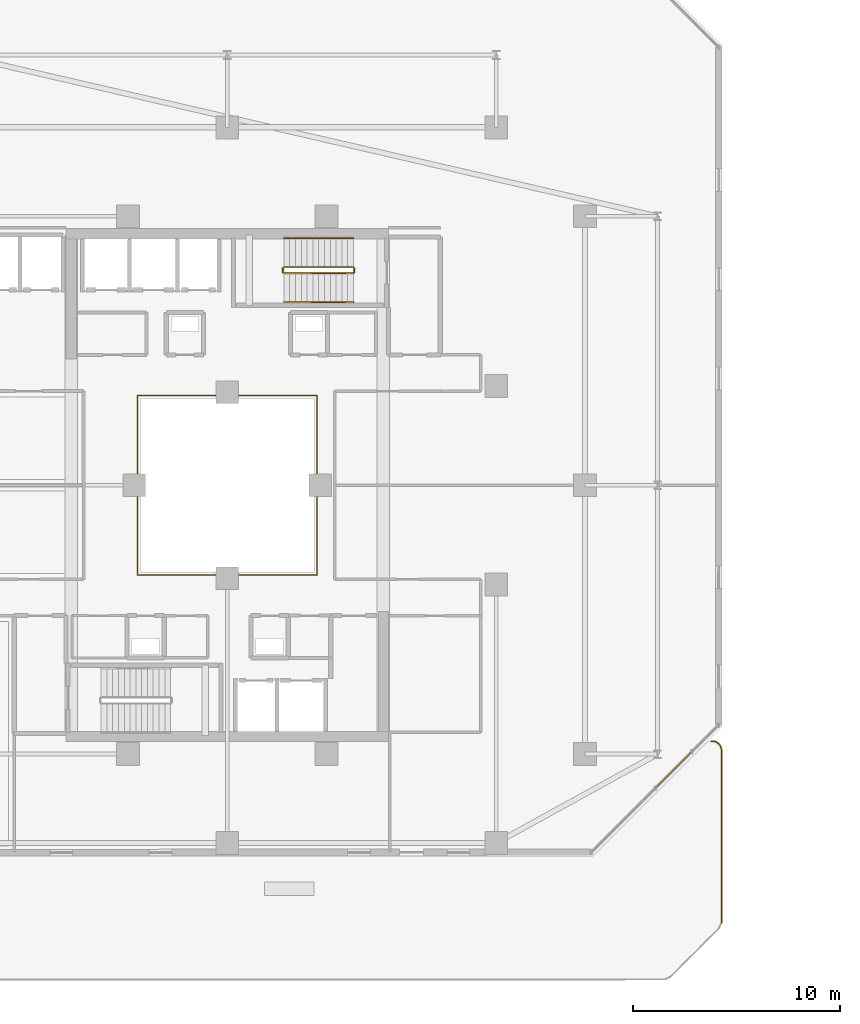
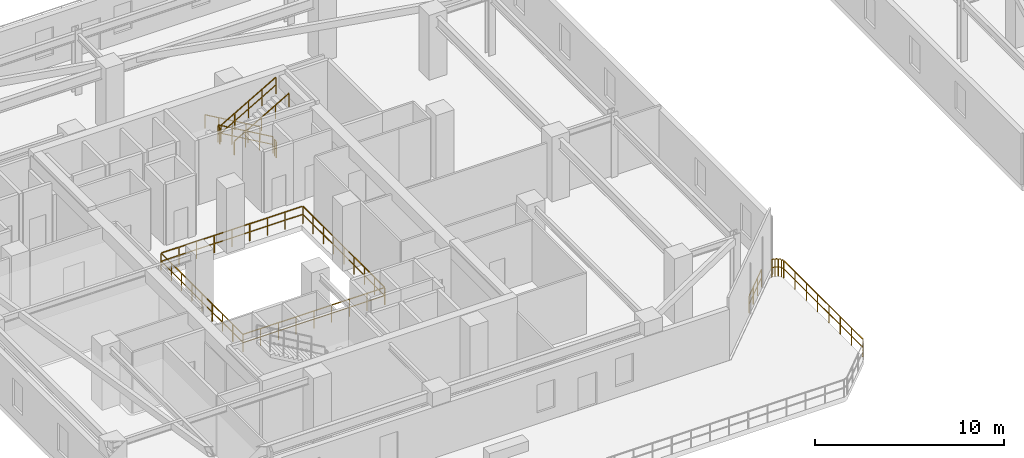
# One storey, part 30 of 33: 9 railings.
"""IFC4 building model written with IfcOpenShell, lengths in metres."""

from ifc_helpers import new_model, si_unit, direction, frame, origin, origin_2d, place, context, subcontext, project, spatial, rectangle, extrude, material, type_object, element, save


model = new_model("IFC4")

# Units and contexts
model_context = context("Model", 3, precision=1e-05, world=origin(), true_north=direction((0.0, 1.0)))
body_context = subcontext(model_context, "Body", "Model", "MODEL_VIEW")
ifc_project = project(units=[si_unit("LENGTHUNIT", "METRE"), si_unit("AREAUNIT", "SQUARE_METRE"), si_unit("VOLUMEUNIT", "CUBIC_METRE"), si_unit("PLANEANGLEUNIT", "RADIAN"), si_unit("MASSUNIT", "GRAM", prefix="KILO")], contexts=[model_context])

# Site, building, storey
site_placement = place(None, origin())
site = spatial("IfcSite", under=ifc_project, at=site_placement, CompositionType="ELEMENT")
building_placement = place(site_placement, origin())
building = spatial("IfcBuilding", under=site, at=building_placement, Name="Thornwick Lancets Civic Towers", CompositionType="ELEMENT")
storey_placement = place(building_placement, frame((0.0, 0.0, 174.300048828125)))
storey = spatial("IfcBuildingStorey", under=building, at=storey_placement, Name="L46", CompositionType="ELEMENT", Elevation=174.300048828125)

# Railings
ifc_material_1 = material(Name="Laminated glass and bronze steel S355", Category="steel")
railing_type_1 = type_object("IfcRailingType", Name="RAIL_ATRIUM_GUARD", PredefinedType="BALUSTRADE", material=ifc_material_1)
railing_1_placement = place(storey_placement, frame((21.159912109375, 22.659912109375, 0.0)))
element("IfcRailing", 1, at=railing_1_placement, inside=storey, type_object=railing_type_1, Name="L46 Tower A Central Atrium Guard Balustrade", PredefinedType="BALUSTRADE", context=body_context, shape_type="SweptSolid", body=[
    extrude(rectangle(XDim=0.048095703125, YDim=0.048095703125, at=origin_2d()), frame((0.0, 0.0, 1.1259765625), z_axis=(1.0, 0.0, 0.0), x_axis=(0.0, 1.0, 0.0)), (0.0, 0.0, 1.0), 8.64892578125),
    extrude(rectangle(XDim=0.0419921875, YDim=0.0419921875, at=origin_2d()), frame((0.03759765625, 0.0, 0.597900390625), z_axis=(1.0, 0.0, 0.0), x_axis=(0.0, 1.0, 0.0)), (0.0, 0.0, 1.0), 1.010009765625),
    extrude(rectangle(XDim=0.0419921875, YDim=0.0419921875, at=origin_2d()), frame((1.12255859375, 0.0, 0.597900390625), z_axis=(1.0, 0.0, 0.0), x_axis=(0.0, 1.0, 0.0)), (0.0, 0.0, 1.0), 1.010009765625),
    extrude(rectangle(XDim=0.0419921875, YDim=0.0419921875, at=origin_2d()), frame((2.20751953125, 0.0, 0.597900390625), z_axis=(1.0, 0.0, 0.0), x_axis=(0.0, 1.0, 0.0)), (0.0, 0.0, 1.0), 1.010009765625),
    extrude(rectangle(XDim=0.0419921875, YDim=0.0419921875, at=origin_2d()), frame((3.29248046875, 0.0, 0.597900390625), z_axis=(1.0, 0.0, 0.0), x_axis=(0.0, 1.0, 0.0)), (0.0, 0.0, 1.0), 1.010009765625),
    extrude(rectangle(XDim=0.0419921875, YDim=0.0419921875, at=origin_2d()), frame((4.377685546875, 0.0, 0.597900390625), z_axis=(1.0, 0.0, 0.0), x_axis=(0.0, 1.0, 0.0)), (0.0, 0.0, 1.0), 1.010009765625),
    extrude(rectangle(XDim=0.0419921875, YDim=0.0419921875, at=origin_2d()), frame((5.462646484375, 0.0, 0.597900390625), z_axis=(1.0, 0.0, 0.0), x_axis=(0.0, 1.0, 0.0)), (0.0, 0.0, 1.0), 1.010009765625),
    extrude(rectangle(XDim=0.0419921875, YDim=0.0419921875, at=origin_2d()), frame((6.547607421875, 0.0, 0.597900390625), z_axis=(1.0, 0.0, 0.0), x_axis=(0.0, 1.0, 0.0)), (0.0, 0.0, 1.0), 1.010009765625),
    extrude(rectangle(XDim=0.0419921875, YDim=0.0419921875, at=origin_2d()), frame((7.632568359375, 0.0, 0.597900390625), z_axis=(1.0, 0.0, 0.0), x_axis=(0.0, 1.0, 0.0)), (0.0, 0.0, 1.0), 1.010009765625),
    extrude(rectangle(XDim=0.048095703125, YDim=0.048095703125, at=origin_2d()), frame((8.68017578125, 0.03125, 1.1259765625), z_axis=(0.0, 1.0, 0.0), x_axis=(-1.0, 0.0, 0.0)), (0.0, 0.0, 1.0), 8.61767578125),
    extrude(rectangle(XDim=0.0419921875, YDim=0.0419921875, at=origin_2d()), frame((8.68017578125, 0.03759765625, 0.597900390625), z_axis=(0.0, 1.0, 0.0), x_axis=(-1.0, 0.0, 0.0)), (0.0, 0.0, 1.0), 1.010009765625),
    extrude(rectangle(XDim=0.0419921875, YDim=0.0419921875, at=origin_2d()), frame((8.68017578125, 1.12255859375, 0.597900390625), z_axis=(0.0, 1.0, 0.0), x_axis=(-1.0, 0.0, 0.0)), (0.0, 0.0, 1.0), 1.010009765625),
    extrude(rectangle(XDim=0.0419921875, YDim=0.0419921875, at=origin_2d()), frame((8.68017578125, 2.20751953125, 0.597900390625), z_axis=(0.0, 1.0, 0.0), x_axis=(-1.0, 0.0, 0.0)), (0.0, 0.0, 1.0), 1.010009765625),
    extrude(rectangle(XDim=0.0419921875, YDim=0.0419921875, at=origin_2d()), frame((8.68017578125, 3.29248046875, 0.597900390625), z_axis=(0.0, 1.0, 0.0), x_axis=(-1.0, 0.0, 0.0)), (0.0, 0.0, 1.0), 1.010009765625),
    extrude(rectangle(XDim=0.0419921875, YDim=0.0419921875, at=origin_2d()), frame((8.68017578125, 4.377685546875, 0.597900390625), z_axis=(0.0, 1.0, 0.0), x_axis=(-1.0, 0.0, 0.0)), (0.0, 0.0, 1.0), 1.010009765625),
    extrude(rectangle(XDim=0.0419921875, YDim=0.0419921875, at=origin_2d()), frame((8.68017578125, 5.462646484375, 0.597900390625), z_axis=(0.0, 1.0, 0.0), x_axis=(-1.0, 0.0, 0.0)), (0.0, 0.0, 1.0), 1.010009765625),
    extrude(rectangle(XDim=0.0419921875, YDim=0.0419921875, at=origin_2d()), frame((8.68017578125, 6.547607421875, 0.597900390625), z_axis=(0.0, 1.0, 0.0), x_axis=(-1.0, 0.0, 0.0)), (0.0, 0.0, 1.0), 1.010009765625),
    extrude(rectangle(XDim=0.0419921875, YDim=0.0419921875, at=origin_2d()), frame((8.68017578125, 7.632568359375, 0.597900390625), z_axis=(0.0, 1.0, 0.0), x_axis=(-1.0, 0.0, 0.0)), (0.0, 0.0, 1.0), 1.010009765625),
    extrude(rectangle(XDim=0.048095703125, YDim=0.048095703125, at=origin_2d()), frame((8.64892578125, 8.68017578125, 1.1259765625), z_axis=(-1.0, 0.0, 0.0), x_axis=(0.0, -1.0, 0.0)), (0.0, 0.0, 1.0), 8.61767578125),
    extrude(rectangle(XDim=0.0419921875, YDim=0.0419921875, at=origin_2d()), frame((8.642578125, 8.68017578125, 0.597900390625), z_axis=(-1.0, 0.0, 0.0), x_axis=(0.0, -1.0, 0.0)), (0.0, 0.0, 1.0), 1.010009765625),
    extrude(rectangle(XDim=0.0419921875, YDim=0.0419921875, at=origin_2d()), frame((7.5576171875, 8.68017578125, 0.597900390625), z_axis=(-1.0, 0.0, 0.0), x_axis=(0.0, -1.0, 0.0)), (0.0, 0.0, 1.0), 1.010009765625),
    extrude(rectangle(XDim=0.0419921875, YDim=0.0419921875, at=origin_2d()), frame((6.47265625, 8.68017578125, 0.597900390625), z_axis=(-1.0, 0.0, 0.0), x_axis=(0.0, -1.0, 0.0)), (0.0, 0.0, 1.0), 1.010009765625),
    extrude(rectangle(XDim=0.0419921875, YDim=0.0419921875, at=origin_2d()), frame((5.3876953125, 8.68017578125, 0.597900390625), z_axis=(-1.0, 0.0, 0.0), x_axis=(0.0, -1.0, 0.0)), (0.0, 0.0, 1.0), 1.010009765625),
    extrude(rectangle(XDim=0.0419921875, YDim=0.0419921875, at=origin_2d()), frame((4.302490234375, 8.68017578125, 0.597900390625), z_axis=(-1.0, 0.0, 0.0), x_axis=(0.0, -1.0, 0.0)), (0.0, 0.0, 1.0), 1.010009765625),
    extrude(rectangle(XDim=0.0419921875, YDim=0.0419921875, at=origin_2d()), frame((3.217529296875, 8.68017578125, 0.597900390625), z_axis=(-1.0, 0.0, 0.0), x_axis=(0.0, -1.0, 0.0)), (0.0, 0.0, 1.0), 1.010009765625),
    extrude(rectangle(XDim=0.0419921875, YDim=0.0419921875, at=origin_2d()), frame((2.132568359375, 8.68017578125, 0.597900390625), z_axis=(-1.0, 0.0, 0.0), x_axis=(0.0, -1.0, 0.0)), (0.0, 0.0, 1.0), 1.010009765625),
    extrude(rectangle(XDim=0.0419921875, YDim=0.0419921875, at=origin_2d()), frame((1.047607421875, 8.68017578125, 0.597900390625), z_axis=(-1.0, 0.0, 0.0), x_axis=(0.0, -1.0, 0.0)), (0.0, 0.0, 1.0), 1.010009765625),
    extrude(rectangle(XDim=0.048095703125, YDim=0.048095703125, at=origin_2d()), frame((0.0, 8.64892578125, 1.1259765625), z_axis=(0.0, -1.0, 0.0), x_axis=(1.0, 0.0, 0.0)), (0.0, 0.0, 1.0), 8.64892578125),
    extrude(rectangle(XDim=0.0419921875, YDim=0.0419921875, at=origin_2d()), frame((0.0, 8.642578125, 0.597900390625), z_axis=(0.0, -1.0, 0.0), x_axis=(1.0, 0.0, 0.0)), (0.0, 0.0, 1.0), 1.010009765625),
    extrude(rectangle(XDim=0.0419921875, YDim=0.0419921875, at=origin_2d()), frame((0.0, 7.5576171875, 0.597900390625), z_axis=(0.0, -1.0, 0.0), x_axis=(1.0, 0.0, 0.0)), (0.0, 0.0, 1.0), 1.010009765625),
    extrude(rectangle(XDim=0.0419921875, YDim=0.0419921875, at=origin_2d()), frame((0.0, 6.47265625, 0.597900390625), z_axis=(0.0, -1.0, 0.0), x_axis=(1.0, 0.0, 0.0)), (0.0, 0.0, 1.0), 1.010009765625),
    extrude(rectangle(XDim=0.0419921875, YDim=0.0419921875, at=origin_2d()), frame((0.0, 5.3876953125, 0.597900390625), z_axis=(0.0, -1.0, 0.0), x_axis=(1.0, 0.0, 0.0)), (0.0, 0.0, 1.0), 1.010009765625),
    extrude(rectangle(XDim=0.0419921875, YDim=0.0419921875, at=origin_2d()), frame((0.0, 4.302490234375, 0.597900390625), z_axis=(0.0, -1.0, 0.0), x_axis=(1.0, 0.0, 0.0)), (0.0, 0.0, 1.0), 1.010009765625),
    extrude(rectangle(XDim=0.0419921875, YDim=0.0419921875, at=origin_2d()), frame((0.0, 3.217529296875, 0.597900390625), z_axis=(0.0, -1.0, 0.0), x_axis=(1.0, 0.0, 0.0)), (0.0, 0.0, 1.0), 1.010009765625),
    extrude(rectangle(XDim=0.0419921875, YDim=0.0419921875, at=origin_2d()), frame((0.0, 2.132568359375, 0.597900390625), z_axis=(0.0, -1.0, 0.0), x_axis=(1.0, 0.0, 0.0)), (0.0, 0.0, 1.0), 1.010009765625),
    extrude(rectangle(XDim=0.0419921875, YDim=0.0419921875, at=origin_2d()), frame((0.0, 1.047607421875, 0.597900390625), z_axis=(0.0, -1.0, 0.0), x_axis=(1.0, 0.0, 0.0)), (0.0, 0.0, 1.0), 1.010009765625),
    extrude(rectangle(XDim=0.0419921875, YDim=0.0419921875, at=origin_2d()), origin(), (0.0, 0.0, 1.0), 1.095703125),
    extrude(rectangle(XDim=0.0419921875, YDim=0.0419921875, at=origin_2d()), frame((1.0849609375, 0.0, 0.0)), (0.0, 0.0, 1.0), 1.095703125),
    extrude(rectangle(XDim=0.0419921875, YDim=0.0419921875, at=origin_2d()), frame((2.169921875, 0.0, 0.0)), (0.0, 0.0, 1.0), 1.095703125),
    extrude(rectangle(XDim=0.0419921875, YDim=0.0419921875, at=origin_2d()), frame((3.255126953125, 0.0, 0.0)), (0.0, 0.0, 1.0), 1.095703125),
    extrude(rectangle(XDim=0.0419921875, YDim=0.0419921875, at=origin_2d()), frame((4.340087890625, 0.0, 0.0)), (0.0, 0.0, 1.0), 1.095703125),
    extrude(rectangle(XDim=0.0419921875, YDim=0.0419921875, at=origin_2d()), frame((5.425048828125, 0.0, 0.0)), (0.0, 0.0, 1.0), 1.095703125),
    extrude(rectangle(XDim=0.0419921875, YDim=0.0419921875, at=origin_2d()), frame((6.51025390625, 0.0, 0.0)), (0.0, 0.0, 1.0), 1.095703125),
    extrude(rectangle(XDim=0.0419921875, YDim=0.0419921875, at=origin_2d()), frame((7.59521484375, 0.0, 0.0)), (0.0, 0.0, 1.0), 1.095703125),
    extrude(rectangle(XDim=0.0419921875, YDim=0.0419921875, at=origin_2d()), frame((8.68017578125, 0.0, 0.0)), (0.0, 0.0, 1.0), 1.095703125),
    extrude(rectangle(XDim=0.0419921875, YDim=0.0419921875, at=origin_2d()), frame((8.68017578125, 1.0849609375, 0.0)), (0.0, 0.0, 1.0), 1.095703125),
    extrude(rectangle(XDim=0.0419921875, YDim=0.0419921875, at=origin_2d()), frame((8.68017578125, 2.169921875, 0.0)), (0.0, 0.0, 1.0), 1.095703125),
    extrude(rectangle(XDim=0.0419921875, YDim=0.0419921875, at=origin_2d()), frame((8.68017578125, 3.255126953125, 0.0)), (0.0, 0.0, 1.0), 1.095703125),
    extrude(rectangle(XDim=0.0419921875, YDim=0.0419921875, at=origin_2d()), frame((8.68017578125, 4.340087890625, 0.0)), (0.0, 0.0, 1.0), 1.095703125),
    extrude(rectangle(XDim=0.0419921875, YDim=0.0419921875, at=origin_2d()), frame((8.68017578125, 5.425048828125, 0.0)), (0.0, 0.0, 1.0), 1.095703125),
    extrude(rectangle(XDim=0.0419921875, YDim=0.0419921875, at=origin_2d()), frame((8.68017578125, 6.51025390625, 0.0)), (0.0, 0.0, 1.0), 1.095703125),
    extrude(rectangle(XDim=0.0419921875, YDim=0.0419921875, at=origin_2d()), frame((8.68017578125, 7.59521484375, 0.0)), (0.0, 0.0, 1.0), 1.095703125),
    extrude(rectangle(XDim=0.0419921875, YDim=0.0419921875, at=origin_2d()), frame((8.68017578125, 8.68017578125, 0.0)), (0.0, 0.0, 1.0), 1.095703125),
    extrude(rectangle(XDim=0.0419921875, YDim=0.0419921875, at=origin_2d()), frame((7.59521484375, 8.68017578125, 0.0)), (0.0, 0.0, 1.0), 1.095703125),
    extrude(rectangle(XDim=0.0419921875, YDim=0.0419921875, at=origin_2d()), frame((6.51025390625, 8.68017578125, 0.0)), (0.0, 0.0, 1.0), 1.095703125),
    extrude(rectangle(XDim=0.0419921875, YDim=0.0419921875, at=origin_2d()), frame((5.425048828125, 8.68017578125, 0.0)), (0.0, 0.0, 1.0), 1.095703125),
    extrude(rectangle(XDim=0.0419921875, YDim=0.0419921875, at=origin_2d()), frame((4.340087890625, 8.68017578125, 0.0)), (0.0, 0.0, 1.0), 1.095703125),
    extrude(rectangle(XDim=0.0419921875, YDim=0.0419921875, at=origin_2d()), frame((3.255126953125, 8.68017578125, 0.0)), (0.0, 0.0, 1.0), 1.095703125),
    extrude(rectangle(XDim=0.0419921875, YDim=0.0419921875, at=origin_2d()), frame((2.169921875, 8.68017578125, 0.0)), (0.0, 0.0, 1.0), 1.095703125),
    extrude(rectangle(XDim=0.0419921875, YDim=0.0419921875, at=origin_2d()), frame((1.0849609375, 8.68017578125, 0.0)), (0.0, 0.0, 1.0), 1.095703125),
    extrude(rectangle(XDim=0.0419921875, YDim=0.0419921875, at=origin_2d()), frame((0.0, 8.68017578125, 0.0)), (0.0, 0.0, 1.0), 1.095703125),
    extrude(rectangle(XDim=0.0419921875, YDim=0.0419921875, at=origin_2d()), frame((0.0, 7.59521484375, 0.0)), (0.0, 0.0, 1.0), 1.095703125),
    extrude(rectangle(XDim=0.0419921875, YDim=0.0419921875, at=origin_2d()), frame((0.0, 6.51025390625, 0.0)), (0.0, 0.0, 1.0), 1.095703125),
    extrude(rectangle(XDim=0.0419921875, YDim=0.0419921875, at=origin_2d()), frame((0.0, 5.425048828125, 0.0)), (0.0, 0.0, 1.0), 1.095703125),
    extrude(rectangle(XDim=0.0419921875, YDim=0.0419921875, at=origin_2d()), frame((0.0, 4.340087890625, 0.0)), (0.0, 0.0, 1.0), 1.095703125),
    extrude(rectangle(XDim=0.0419921875, YDim=0.0419921875, at=origin_2d()), frame((0.0, 3.255126953125, 0.0)), (0.0, 0.0, 1.0), 1.095703125),
    extrude(rectangle(XDim=0.0419921875, YDim=0.0419921875, at=origin_2d()), frame((0.0, 2.169921875, 0.0)), (0.0, 0.0, 1.0), 1.095703125),
    extrude(rectangle(XDim=0.0419921875, YDim=0.0419921875, at=origin_2d()), frame((0.0, 1.0849609375, 0.0)), (0.0, 0.0, 1.0), 1.095703125),
])
ifc_material_2 = material(Name="Brushed stainless steel S355", Category="steel")
railing_type_2 = type_object("IfcRailingType", Name="RAIL_HANDRAIL", PredefinedType="HANDRAIL", material=ifc_material_2)
railing_2_placement = place(storey_placement, frame((31.60009765625, 38.949951171875, 0.161376953125)))
element("IfcRailing", 2, at=railing_2_placement, inside=storey, type_object=railing_type_2, Name="L46 ST-A2 stair handrail 1", PredefinedType="HANDRAIL", context=body_context, shape_type="SweptSolid", body=[
    extrude(rectangle(XDim=0.048095703125, YDim=0.048095703125, at=origin_2d()), frame((0.0, 0.0, 0.8857421875), z_axis=(-0.866190824863, 0.0, 0.499713372768), x_axis=(0.0, -1.0, 0.0)), (0.0, 0.0, 1.0), 3.879150390625),
    extrude(rectangle(XDim=0.0419921875, YDim=0.0419921875, at=origin_2d()), origin(), (0.0, 0.0, 1.0), 0.855712890625),
    extrude(rectangle(XDim=0.0419921875, YDim=0.0419921875, at=origin_2d()), frame((-0.840087890625, 0.0, 0.484619140625)), (0.0, 0.0, 1.0), 0.855712890625),
    extrude(rectangle(XDim=0.0419921875, YDim=0.0419921875, at=origin_2d()), frame((-1.68017578125, 0.0, 0.96923828125)), (0.0, 0.0, 1.0), 0.855712890625),
    extrude(rectangle(XDim=0.0419921875, YDim=0.0419921875, at=origin_2d()), frame((-2.52001953125, 0.0, 1.453857421875)), (0.0, 0.0, 1.0), 0.855712890625),
    extrude(rectangle(XDim=0.0419921875, YDim=0.0419921875, at=origin_2d()), frame((-3.360107421875, 0.0, 1.9384765625)), (0.0, 0.0, 1.0), 0.855712890625),
])
railing_3_placement = place(storey_placement, frame((28.239990234375, 35.85009765625, 2.261474609375)))
element("IfcRailing", 3, at=railing_3_placement, inside=storey, type_object=railing_type_2, Name="L46 ST-A2 stair handrail 2", PredefinedType="HANDRAIL", context=body_context, shape_type="SweptSolid", body=[
    extrude(rectangle(XDim=0.048095703125, YDim=0.048095703125, at=origin_2d()), frame((0.0, 0.0, 0.8857421875), z_axis=(0.866190824863, 0.0, 0.499713372768), x_axis=(0.0, 1.0, 0.0)), (0.0, 0.0, 1.0), 3.879150390625),
    extrude(rectangle(XDim=0.0419921875, YDim=0.0419921875, at=origin_2d()), origin(), (0.0, 0.0, 1.0), 0.855712890625),
    extrude(rectangle(XDim=0.0419921875, YDim=0.0419921875, at=origin_2d()), frame((0.840087890625, 0.0, 0.484619140625)), (0.0, 0.0, 1.0), 0.855712890625),
    extrude(rectangle(XDim=0.0419921875, YDim=0.0419921875, at=origin_2d()), frame((1.68017578125, 0.0, 0.96923828125)), (0.0, 0.0, 1.0), 0.855712890625),
    extrude(rectangle(XDim=0.0419921875, YDim=0.0419921875, at=origin_2d()), frame((2.52001953125, 0.0, 1.453857421875)), (0.0, 0.0, 1.0), 0.855712890625),
    extrude(rectangle(XDim=0.0419921875, YDim=0.0419921875, at=origin_2d()), frame((3.360107421875, 0.0, 1.9384765625)), (0.0, 0.0, 1.0), 0.855712890625),
])
ifc_material_3 = material(Name="Steel S355JR", Category="steel")
railing_type_3 = type_object("IfcRailingType", Name="RAIL_STAIR_GUARD", PredefinedType="GUARDRAIL", material=ifc_material_3)
railing_4_placement = place(storey_placement, frame((31.60009765625, 37.550048828125, 0.161376953125)))
element("IfcRailing", 4, at=railing_4_placement, inside=storey, type_object=railing_type_3, Name="L46 ST-A2 stair guard 1", PredefinedType="GUARDRAIL", context=body_context, shape_type="SweptSolid", body=[
    extrude(rectangle(XDim=0.048095703125, YDim=0.048095703125, at=origin_2d()), frame((0.0, 0.0, 1.076171875), z_axis=(-0.866190824863, 0.0, 0.499713372768), x_axis=(0.0, -1.0, 0.0)), (0.0, 0.0, 1.0), 3.879150390625),
    extrude(rectangle(XDim=0.0419921875, YDim=0.0419921875, at=origin_2d()), frame((-0.032470703125, 0.0, 0.5908203125), z_axis=(-0.866190824863, 0.0, 0.499713372768), x_axis=(0.0, -1.0, 0.0)), (0.0, 0.0, 1.0), 0.894775390625),
    extrude(rectangle(XDim=0.0419921875, YDim=0.0419921875, at=origin_2d()), frame((-0.87255859375, 0.0, 1.075439453125), z_axis=(-0.866190824863, 0.0, 0.499713372768), x_axis=(0.0, -1.0, 0.0)), (0.0, 0.0, 1.0), 0.894775390625),
    extrude(rectangle(XDim=0.0419921875, YDim=0.0419921875, at=origin_2d()), frame((-1.712646484375, 0.0, 1.56005859375), z_axis=(-0.866190824863, 0.0, 0.499713372768), x_axis=(0.0, -1.0, 0.0)), (0.0, 0.0, 1.0), 0.894775390625),
    extrude(rectangle(XDim=0.0419921875, YDim=0.0419921875, at=origin_2d()), frame((-2.552490234375, 0.0, 2.044677734375), z_axis=(-0.866190824863, 0.0, 0.499713372768), x_axis=(0.0, -1.0, 0.0)), (0.0, 0.0, 1.0), 0.894775390625),
    extrude(rectangle(XDim=0.0419921875, YDim=0.0419921875, at=origin_2d()), origin(), (0.0, 0.0, 1.0), 1.0458984375),
    extrude(rectangle(XDim=0.0419921875, YDim=0.0419921875, at=origin_2d()), frame((-0.840087890625, 0.0, 0.484619140625)), (0.0, 0.0, 1.0), 1.0458984375),
    extrude(rectangle(XDim=0.0419921875, YDim=0.0419921875, at=origin_2d()), frame((-1.68017578125, 0.0, 0.96923828125)), (0.0, 0.0, 1.0), 1.0458984375),
    extrude(rectangle(XDim=0.0419921875, YDim=0.0419921875, at=origin_2d()), frame((-2.52001953125, 0.0, 1.453857421875)), (0.0, 0.0, 1.0), 1.0458984375),
    extrude(rectangle(XDim=0.0419921875, YDim=0.0419921875, at=origin_2d()), frame((-3.360107421875, 0.0, 1.9384765625)), (0.0, 0.0, 1.0), 1.0458984375),
])
railing_5_placement = place(storey_placement, frame((28.18994140625, 37.5, 2.099853515625)))
element("IfcRailing", 5, at=railing_5_placement, inside=storey, type_object=railing_type_3, Name="L46 ST-A2 stair guard 2", PredefinedType="GUARDRAIL", context=body_context, shape_type="SweptSolid", body=[
    extrude(rectangle(XDim=0.048095703125, YDim=0.048095703125, at=origin_2d()), frame((0.0, 0.0, 1.076171875), z_axis=(0.0, -1.0, 0.0), x_axis=(1.0, 0.0, 0.0)), (0.0, 0.0, 1.0), 0.199951171875),
    extrude(rectangle(XDim=0.0419921875, YDim=0.0419921875, at=origin_2d()), frame((0.0, -0.03759765625, 0.572021484375), z_axis=(0.0, -1.0, 0.0), x_axis=(1.0, 0.0, 0.0)), (0.0, 0.0, 1.0), 0.125),
    extrude(rectangle(XDim=0.0419921875, YDim=0.0419921875, at=origin_2d()), origin(), (0.0, 0.0, 1.0), 1.0458984375),
    extrude(rectangle(XDim=0.0419921875, YDim=0.0419921875, at=origin_2d()), frame((0.0, -0.199951171875, 0.0)), (0.0, 0.0, 1.0), 1.0458984375),
])
railing_6_placement = place(storey_placement, frame((28.239990234375, 37.25, 2.261474609375)))
element("IfcRailing", 6, at=railing_6_placement, inside=storey, type_object=railing_type_3, Name="L46 ST-A2 stair guard 3", PredefinedType="GUARDRAIL", context=body_context, shape_type="SweptSolid", body=[
    extrude(rectangle(XDim=0.048095703125, YDim=0.048095703125, at=origin_2d()), frame((0.0, 0.0, 1.076171875), z_axis=(0.866190824863, 0.0, 0.499713372768), x_axis=(0.0, 1.0, 0.0)), (0.0, 0.0, 1.0), 3.879150390625),
    extrude(rectangle(XDim=0.0419921875, YDim=0.0419921875, at=origin_2d()), frame((0.032470703125, 0.0, 0.5908203125), z_axis=(0.866190824863, 0.0, 0.499713372768), x_axis=(0.0, 1.0, 0.0)), (0.0, 0.0, 1.0), 0.894775390625),
    extrude(rectangle(XDim=0.0419921875, YDim=0.0419921875, at=origin_2d()), frame((0.87255859375, 0.0, 1.075439453125), z_axis=(0.866190824863, 0.0, 0.499713372768), x_axis=(0.0, 1.0, 0.0)), (0.0, 0.0, 1.0), 0.894775390625),
    extrude(rectangle(XDim=0.0419921875, YDim=0.0419921875, at=origin_2d()), frame((1.712646484375, 0.0, 1.56005859375), z_axis=(0.866190824863, 0.0, 0.499713372768), x_axis=(0.0, 1.0, 0.0)), (0.0, 0.0, 1.0), 0.894775390625),
    extrude(rectangle(XDim=0.0419921875, YDim=0.0419921875, at=origin_2d()), frame((2.552490234375, 0.0, 2.044677734375), z_axis=(0.866190824863, 0.0, 0.499713372768), x_axis=(0.0, 1.0, 0.0)), (0.0, 0.0, 1.0), 0.894775390625),
    extrude(rectangle(XDim=0.0419921875, YDim=0.0419921875, at=origin_2d()), origin(), (0.0, 0.0, 1.0), 1.0458984375),
    extrude(rectangle(XDim=0.0419921875, YDim=0.0419921875, at=origin_2d()), frame((0.840087890625, 0.0, 0.484619140625)), (0.0, 0.0, 1.0), 1.0458984375),
    extrude(rectangle(XDim=0.0419921875, YDim=0.0419921875, at=origin_2d()), frame((1.68017578125, 0.0, 0.96923828125)), (0.0, 0.0, 1.0), 1.0458984375),
    extrude(rectangle(XDim=0.0419921875, YDim=0.0419921875, at=origin_2d()), frame((2.52001953125, 0.0, 1.453857421875)), (0.0, 0.0, 1.0), 1.0458984375),
    extrude(rectangle(XDim=0.0419921875, YDim=0.0419921875, at=origin_2d()), frame((3.360107421875, 0.0, 1.9384765625)), (0.0, 0.0, 1.0), 1.0458984375),
])
railing_7_placement = place(storey_placement, frame((31.64990234375, 37.5, 0.0)))
element("IfcRailing", 7, at=railing_7_placement, inside=storey, type_object=railing_type_3, Name="L46 ST-A2 stair guard 4", PredefinedType="GUARDRAIL", context=body_context, shape_type="SweptSolid", body=[
    extrude(rectangle(XDim=0.048095703125, YDim=0.048095703125, at=origin_2d()), frame((0.0, 0.0, 1.076171875), z_axis=(0.0, -1.0, 0.0), x_axis=(1.0, 0.0, 0.0)), (0.0, 0.0, 1.0), 0.199951171875),
    extrude(rectangle(XDim=0.0419921875, YDim=0.0419921875, at=origin_2d()), frame((0.0, -0.03759765625, 0.572021484375), z_axis=(0.0, -1.0, 0.0), x_axis=(1.0, 0.0, 0.0)), (0.0, 0.0, 1.0), 0.125),
    extrude(rectangle(XDim=0.0419921875, YDim=0.0419921875, at=origin_2d()), origin(), (0.0, 0.0, 1.0), 1.0458984375),
    extrude(rectangle(XDim=0.0419921875, YDim=0.0419921875, at=origin_2d()), frame((0.0, -0.199951171875, 0.0)), (0.0, 0.0, 1.0), 1.0458984375),
])
ifc_material_4 = material(Name="Terracotta-capped laminated glass balustrade S355", Category="masonry")
railing_type_4 = type_object("IfcRailingType", Name="RAIL_TERR_GUARD", PredefinedType="GUARDRAIL", material=ifc_material_4)
railing_8_placement = place(storey_placement, frame((46.190673828125, 12.341552734375, 0.0)))
element("IfcRailing", 8, at=railing_8_placement, inside=storey, type_object=railing_type_4, Name="L46 Tower A Chamfer Spandrel Guard E1-1", PredefinedType="GUARDRAIL", context=body_context, shape_type="SweptSolid", body=[
    extrude(rectangle(XDim=0.048095703125, YDim=0.048095703125, at=origin_2d()), frame((0.0, 0.0, 1.1259765625), z_axis=(0.707106781187, 0.707106781187, 0.0), x_axis=(-0.707106781187, 0.707106781187, 0.0)), (0.0, 0.0, 1.0), 2.5),
    extrude(rectangle(XDim=0.0419921875, YDim=0.0419921875, at=origin_2d()), frame((0.026611328125, 0.026611328125, 0.597900390625), z_axis=(0.707106781187, 0.707106781187, 0.0), x_axis=(-0.707106781187, 0.707106781187, 0.0)), (0.0, 0.0, 1.0), 0.75830078125),
    extrude(rectangle(XDim=0.0419921875, YDim=0.0419921875, at=origin_2d()), frame((0.61572265625, 0.61572265625, 0.597900390625), z_axis=(0.707106781187, 0.707106781187, 0.0), x_axis=(-0.707106781187, 0.707106781187, 0.0)), (0.0, 0.0, 1.0), 0.75830078125),
    extrude(rectangle(XDim=0.0419921875, YDim=0.0419921875, at=origin_2d()), frame((1.205078125, 1.205078125, 0.597900390625), z_axis=(0.707106781187, 0.707106781187, 0.0), x_axis=(-0.707106781187, 0.707106781187, 0.0)), (0.0, 0.0, 1.0), 0.75830078125),
    extrude(rectangle(XDim=0.0419921875, YDim=0.0419921875, at=origin_2d()), origin(), (0.0, 0.0, 1.0), 1.095703125),
    extrude(rectangle(XDim=0.0419921875, YDim=0.0419921875, at=origin_2d()), frame((0.58935546875, 0.58935546875, 0.0)), (0.0, 0.0, 1.0), 1.095703125),
    extrude(rectangle(XDim=0.0419921875, YDim=0.0419921875, at=origin_2d()), frame((1.178466796875, 1.178466796875, 0.0)), (0.0, 0.0, 1.0), 1.095703125),
    extrude(rectangle(XDim=0.0419921875, YDim=0.0419921875, at=origin_2d()), frame((1.767822265625, 1.767822265625, 0.0)), (0.0, 0.0, 1.0), 1.095703125),
])
railing_9_placement = place(storey_placement, frame((48.90234375, 14.6328125, 0.0)))
element("IfcRailing", 9, at=railing_9_placement, inside=storey, type_object=railing_type_4, Name="L46 Tower A Sky-Garden Guard 1 Part 2", PredefinedType="GUARDRAIL", context=body_context, shape_type="SweptSolid", body=[
    extrude(rectangle(XDim=0.048095703125, YDim=0.048095703125, at=origin_2d()), frame((0.0, 0.0, 1.1259765625), z_axis=(0.99556264392, -0.094101126617, 0.0), x_axis=(0.094101126617, 0.99556264392, 0.0)), (0.0, 0.0, 1.0), 0.147705078125),
    extrude(rectangle(XDim=0.0419921875, YDim=0.0419921875, at=origin_2d()), frame((0.037353515625, -0.00341796875, 0.597900390625), z_axis=(0.99556264392, -0.094101126617, 0.0), x_axis=(0.094101126617, 0.99556264392, 0.0)), (0.0, 0.0, 1.0), 0.10400390625),
    extrude(rectangle(XDim=0.048095703125, YDim=0.048095703125, at=origin_2d()), frame((0.205810546875, -0.031494140625, 1.1259765625), z_axis=(0.882160586654, -0.470948722639, 0.0), x_axis=(0.470948722639, 0.882160586654, 0.0)), (0.0, 0.0, 1.0), 0.11328125),
    extrude(rectangle(XDim=0.0419921875, YDim=0.0419921875, at=origin_2d()), frame((0.211181640625, -0.034423828125, 0.597900390625), z_axis=(0.882160586654, -0.470948722639, 0.0), x_axis=(0.470948722639, 0.882160586654, 0.0)), (0.0, 0.0, 1.0), 0.100830078125),
    extrude(rectangle(XDim=0.048095703125, YDim=0.048095703125, at=origin_2d()), frame((0.35302734375, -0.123779296875, 1.1259765625), z_axis=(0.634146109242, -0.773213238462, 0.0), x_axis=(0.773213238462, 0.634146109242, 0.0)), (0.0, 0.0, 1.0), 0.113037109375),
    extrude(rectangle(XDim=0.0419921875, YDim=0.0419921875, at=origin_2d()), frame((0.35693359375, -0.128662109375, 0.597900390625), z_axis=(0.634146109242, -0.773213238462, 0.0), x_axis=(0.773213238462, 0.634146109242, 0.0)), (0.0, 0.0, 1.0), 0.1005859375),
    extrude(rectangle(XDim=0.048095703125, YDim=0.048095703125, at=origin_2d()), frame((0.45361328125, -0.265380859375, 1.1259765625), z_axis=(0.289389501276, -0.957211427299, 0.0), x_axis=(0.957211427299, 0.289389501276, 0.0)), (0.0, 0.0, 1.0), 0.113037109375),
    extrude(rectangle(XDim=0.0419921875, YDim=0.0419921875, at=origin_2d()), frame((0.455322265625, -0.271240234375, 0.597900390625), z_axis=(0.289389501276, -0.957211427299, 0.0), x_axis=(0.957211427299, 0.289389501276, 0.0)), (0.0, 0.0, 1.0), 0.1005859375),
    extrude(rectangle(XDim=0.048095703125, YDim=0.048095703125, at=origin_2d()), frame((0.495361328125, -0.4345703125, 1.1259765625), z_axis=(0.0, -1.0, 0.0), x_axis=(1.0, 0.0, 0.0)), (0.0, 0.0, 1.0), 8.35595703125),
    extrude(rectangle(XDim=0.0419921875, YDim=0.0419921875, at=origin_2d()), frame((0.495361328125, -0.44091796875, 0.597900390625), z_axis=(0.0, -1.0, 0.0), x_axis=(1.0, 0.0, 0.0)), (0.0, 0.0, 1.0), 1.123291015625),
    extrude(rectangle(XDim=0.0419921875, YDim=0.0419921875, at=origin_2d()), frame((0.495361328125, -1.638916015625, 0.597900390625), z_axis=(0.0, -1.0, 0.0), x_axis=(1.0, 0.0, 0.0)), (0.0, 0.0, 1.0), 1.123291015625),
    extrude(rectangle(XDim=0.0419921875, YDim=0.0419921875, at=origin_2d()), frame((0.495361328125, -2.837158203125, 0.597900390625), z_axis=(0.0, -1.0, 0.0), x_axis=(1.0, 0.0, 0.0)), (0.0, 0.0, 1.0), 1.123291015625),
    extrude(rectangle(XDim=0.0419921875, YDim=0.0419921875, at=origin_2d()), frame((0.495361328125, -4.035400390625, 0.597900390625), z_axis=(0.0, -1.0, 0.0), x_axis=(1.0, 0.0, 0.0)), (0.0, 0.0, 1.0), 1.123291015625),
    extrude(rectangle(XDim=0.0419921875, YDim=0.0419921875, at=origin_2d()), frame((0.495361328125, -5.2333984375, 0.597900390625), z_axis=(0.0, -1.0, 0.0), x_axis=(1.0, 0.0, 0.0)), (0.0, 0.0, 1.0), 1.123291015625),
    extrude(rectangle(XDim=0.0419921875, YDim=0.0419921875, at=origin_2d()), frame((0.495361328125, -6.431640625, 0.597900390625), z_axis=(0.0, -1.0, 0.0), x_axis=(1.0, 0.0, 0.0)), (0.0, 0.0, 1.0), 1.123291015625),
    extrude(rectangle(XDim=0.0419921875, YDim=0.0419921875, at=origin_2d()), frame((0.495361328125, -7.6298828125, 0.597900390625), z_axis=(0.0, -1.0, 0.0), x_axis=(1.0, 0.0, 0.0)), (0.0, 0.0, 1.0), 1.123291015625),
    extrude(rectangle(XDim=0.0419921875, YDim=0.0419921875, at=origin_2d()), origin(), (0.0, 0.0, 1.0), 1.095703125),
    extrude(rectangle(XDim=0.0419921875, YDim=0.0419921875, at=origin_2d()), frame((0.17822265625, -0.016845703125, 0.0)), (0.0, 0.0, 1.0), 1.095703125),
    extrude(rectangle(XDim=0.0419921875, YDim=0.0419921875, at=origin_2d()), frame((0.333251953125, -0.099609375, 0.0)), (0.0, 0.0, 1.0), 1.095703125),
    extrude(rectangle(XDim=0.0419921875, YDim=0.0419921875, at=origin_2d()), frame((0.444580078125, -0.2353515625, 0.0)), (0.0, 0.0, 1.0), 1.095703125),
    extrude(rectangle(XDim=0.0419921875, YDim=0.0419921875, at=origin_2d()), frame((0.495361328125, -0.4033203125, 0.0)), (0.0, 0.0, 1.0), 1.095703125),
    extrude(rectangle(XDim=0.0419921875, YDim=0.0419921875, at=origin_2d()), frame((0.495361328125, -1.6015625, 0.0)), (0.0, 0.0, 1.0), 1.095703125),
    extrude(rectangle(XDim=0.0419921875, YDim=0.0419921875, at=origin_2d()), frame((0.495361328125, -2.799560546875, 0.0)), (0.0, 0.0, 1.0), 1.095703125),
    extrude(rectangle(XDim=0.0419921875, YDim=0.0419921875, at=origin_2d()), frame((0.495361328125, -3.997802734375, 0.0)), (0.0, 0.0, 1.0), 1.095703125),
    extrude(rectangle(XDim=0.0419921875, YDim=0.0419921875, at=origin_2d()), frame((0.495361328125, -5.196044921875, 0.0)), (0.0, 0.0, 1.0), 1.095703125),
    extrude(rectangle(XDim=0.0419921875, YDim=0.0419921875, at=origin_2d()), frame((0.495361328125, -6.394287109375, 0.0)), (0.0, 0.0, 1.0), 1.095703125),
    extrude(rectangle(XDim=0.0419921875, YDim=0.0419921875, at=origin_2d()), frame((0.495361328125, -7.59228515625, 0.0)), (0.0, 0.0, 1.0), 1.095703125),
    extrude(rectangle(XDim=0.0419921875, YDim=0.0419921875, at=origin_2d()), frame((0.495361328125, -8.79052734375, 0.0)), (0.0, 0.0, 1.0), 1.095703125),
])

save(model, "model.ifc")
